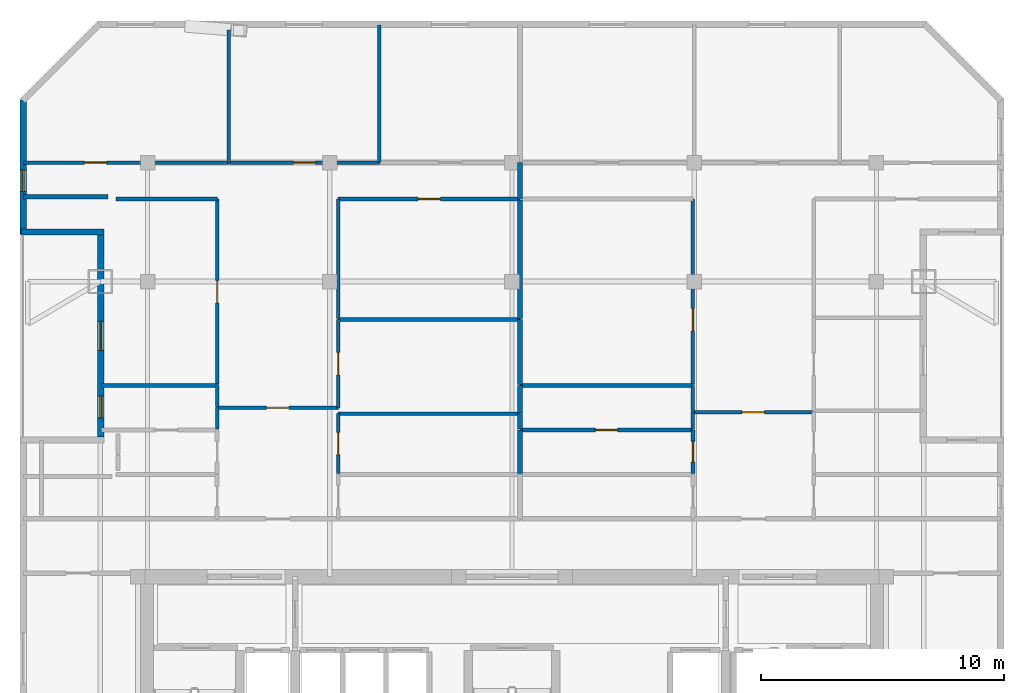
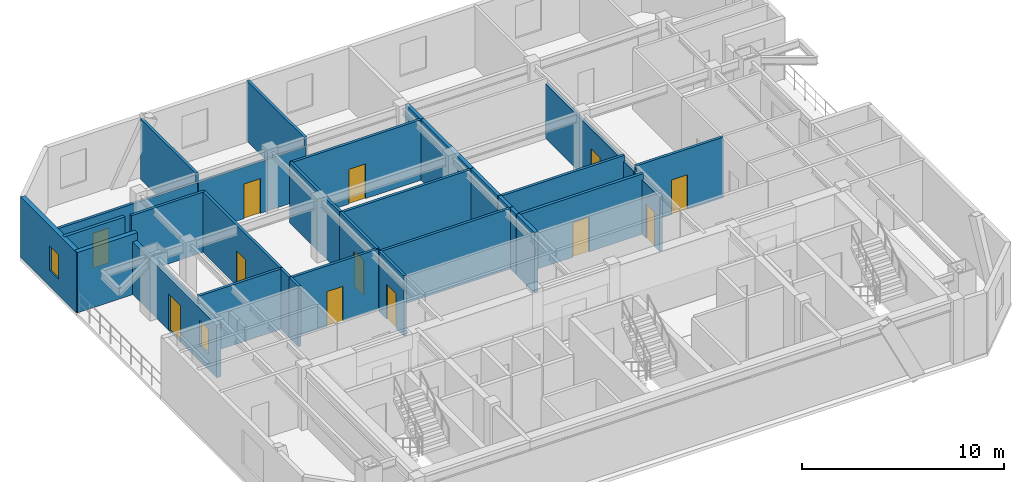
# One storey, part 4 of 7: 33 walls, 12 doors, 2 windows, 14 openings.
"""IFC4 building model written with IfcOpenShell, lengths in metres."""

from ifc_helpers import new_model, si_unit, direction, frame, frame_2d, origin, place, context, subcontext, project, spatial, rectangle, extrude, material, layer, layer_set, type_object, element, fill, save


model = new_model("IFC4")

# Units and contexts
model_context = context("Model", 3, precision=1e-05, world=origin(), true_north=direction((0.0, 1.0)))
body_context = subcontext(model_context, "Body", "Model", "MODEL_VIEW")
ifc_project = project(units=[si_unit("LENGTHUNIT", "METRE"), si_unit("AREAUNIT", "SQUARE_METRE"), si_unit("VOLUMEUNIT", "CUBIC_METRE"), si_unit("PLANEANGLEUNIT", "RADIAN"), si_unit("MASSUNIT", "GRAM", prefix="KILO")], contexts=[model_context])

# Site, building, storey
site_placement = place(None, origin())
site = spatial("IfcSite", under=ifc_project, at=site_placement, CompositionType="ELEMENT")
building_placement = place(site_placement, origin())
building = spatial("IfcBuilding", under=site, at=building_placement, Name="Ventersveld Concourse Tower", CompositionType="ELEMENT")
storey_placement = place(building_placement, frame((0.0, 0.0, 288.75)))
storey = spatial("IfcBuildingStorey", under=building, at=storey_placement, Name="L71", CompositionType="ELEMENT", Elevation=288.75)

# Walls
ifc_material_1 = material(Name="Fire-rated autoclaved aerated masonry blockwork", Category="masonry")
ifc_layer_1 = layer(ifc_material_1, 0.179931640625)
ifc_layer_set_1 = layer_set([ifc_layer_1], Name="Fire-rated autoclaved aerated masonry blockwork")
wall_type_1 = type_object("IfcWallType", Name="WL-CORR-180", PredefinedType="PARTITIONING", material=ifc_layer_set_1)
wall_1_placement = place(storey_placement, frame((12.12548828125, 27.090087890625, 0.0), z_axis=(0.0, 0.0, 1.0), x_axis=(-1.0, 0.0, 0.0)))
element("IfcWall", 1, at=wall_1_placement, inside=storey, type_object=wall_type_1, Name="L71 Room Enclosure Wall SP-L71-71N1-LIV", PredefinedType="PARTITIONING", context=body_context, shape_type="SweptSolid", body=[
    extrude(rectangle(XDim=3.480712890625, YDim=0.179931640625, at=frame_2d((1.740234375, 0.0))), origin(), (0.0, 0.0, 1.0), 3.64990234375),
])
ifc_layer_2 = layer(ifc_material_1, 0.199951171875)
ifc_layer_set_2 = layer_set([ifc_layer_2], Name="Fire-rated autoclaved aerated masonry blockwork")
wall_type_2 = type_object("IfcWallType", Name="WL-DEMISE-200", PredefinedType="PARTITIONING", material=ifc_layer_set_2)
wall_2_placement = place(storey_placement, frame((29.081787109375, 26.9951171875, 0.0), z_axis=(0.0, 0.0, 1.0), x_axis=(0.0, 1.0, 0.0)))
element("IfcWall", 2, at=wall_2_placement, inside=storey, type_object=wall_type_2, Name="L71 Interior Partition SP-L71-71N1-LIV-SP-L71-71N2-LIV", PredefinedType="PARTITIONING", context=body_context, shape_type="SweptSolid", body=[
    extrude(rectangle(XDim=1.509765625, YDim=0.199951171875, at=frame_2d((0.7548828125, 0.0))), origin(), (0.0, 0.0, 1.0), 3.64990234375),
])
wall_3_placement = place(storey_placement, frame((29.081787109375, 15.695068359375, 0.0), z_axis=(0.0, 0.0, 1.0), x_axis=(0.0, 1.0, 0.0)))
element("IfcWall", 3, at=wall_3_placement, inside=storey, type_object=wall_type_2, Name="L71 Interior Partition SP-L71-71N1-SEMR1-SP-L71-71N2-PWDL2", PredefinedType="PARTITIONING", context=body_context, shape_type="SweptSolid", body=[
    extrude(rectangle(XDim=1.800048828125, YDim=0.199951171875, at=frame_2d((0.89990234375, 0.0))), origin(), (0.0, 0.0, 1.0), 3.64990234375),
])
wall_4_placement = place(storey_placement, frame((29.081787109375, 17.52490234375, 0.0), z_axis=(0.0, 0.0, 1.0), x_axis=(0.0, 1.0, 0.0)))
element("IfcWall", 4, at=wall_4_placement, inside=storey, type_object=wall_type_2, Name="L71 Interior Partition SP-L71-71N1-SEMR1-SP-L71-71N2-PANL0", PredefinedType="PARTITIONING", context=body_context, shape_type="SweptSolid", body=[
    extrude(rectangle(XDim=0.64501953125, YDim=0.199951171875, at=frame_2d((0.322509765625, 0.0))), origin(), (0.0, 0.0, 1.0), 3.64990234375),
])
wall_5_placement = place(storey_placement, frame((29.081787109375, 18.199951171875, 0.0), z_axis=(0.0, 0.0, 1.0), x_axis=(0.0, 1.0, 0.0)))
element("IfcWall", 5, at=wall_5_placement, inside=storey, type_object=wall_type_2, Name="L71 Interior Partition SP-L71-71N1-DENS-SP-L71-71N2-PANL0", PredefinedType="PARTITIONING", context=body_context, shape_type="SweptSolid", body=[
    extrude(rectangle(XDim=1.125, YDim=0.199951171875, at=frame_2d((0.5625, 0.0))), origin(), (0.0, 0.0, 1.0), 3.64990234375),
])
wall_6_placement = place(storey_placement, frame((29.081787109375, 19.35498046875, 0.0), z_axis=(0.0, 0.0, 1.0), x_axis=(0.0, 1.0, 0.0)))
element("IfcWall", 6, at=wall_6_placement, inside=storey, type_object=wall_type_2, Name="L71 Interior Partition SP-L71-71N1-DENS-SP-L71-71N2-DENL", PredefinedType="PARTITIONING", context=body_context, shape_type="SweptSolid", body=[
    extrude(rectangle(XDim=2.691162109375, YDim=0.199951171875, at=frame_2d((1.345703125, 0.0))), origin(), (0.0, 0.0, 1.0), 3.64990234375),
])
wall_7_placement = place(storey_placement, frame((29.081787109375, 22.076171875, 0.0), z_axis=(0.0, 0.0, 1.0), x_axis=(0.0, 1.0, 0.0)))
element("IfcWall", 7, at=wall_7_placement, inside=storey, type_object=wall_type_2, Name="L71 Interior Partition SP-L71-71N1-DENS2-SP-L71-71N2-DENL", PredefinedType="PARTITIONING", context=body_context, shape_type="SweptSolid", body=[
    extrude(rectangle(XDim=4.888916015625, YDim=0.199951171875, at=frame_2d((2.4443359375, 0.0))), origin(), (0.0, 0.0, 1.0), 3.64990234375),
])

# Wall, opening, door
ifc_material_2 = material(Name="Autoclaved aerated masonry blockwork", Category="masonry")
ifc_layer_3 = layer(ifc_material_2, 0.14990234375)
ifc_layer_set_3 = layer_set([ifc_layer_3], Name="Autoclaved aerated masonry blockwork")
wall_type_3 = type_object("IfcWallType", Name="WL-INT-150", PredefinedType="PARTITIONING", material=ifc_layer_set_3)
wall_8_placement = place(storey_placement, frame((16.60693359375, 18.40771484375, 0.0), z_axis=(0.0, 0.0, 1.0), x_axis=(1.0, 0.0, 0.0)))
wall_8 = element("IfcWall", 8, at=wall_8_placement, inside=storey, type_object=wall_type_3, Name="L71 Interior Partition SP-L71-71N1-FOY-SP-L71-71N1-LIV", PredefinedType="PARTITIONING", context=body_context, shape_type="SweptSolid", body=[
    extrude(rectangle(XDim=4.989990234375, YDim=0.14990234375, at=frame_2d((2.4951171875, 0.0))), origin(), (0.0, 0.0, 1.0), 3.64990234375),
])
opening_1_placement = place(wall_8_placement, frame((2.034912109375, 0.0, 0.0)))
opening_1 = element("IfcOpeningElement", 9, at=opening_1_placement, cuts=wall_8, Name="Opening ID1", PredefinedType="OPENING", context=body_context, shape_type="SweptSolid", body=[
    extrude(rectangle(XDim=0.919921875, YDim=2.10009765625, at=frame_2d((0.4599609375, 1.050048828125))), frame((0.0, 0.0849609375, 0.0), z_axis=(0.0, -1.0, 0.0), x_axis=(1.0, 0.0, 0.0)), (0.0, 0.0, 1.0), 0.169921875),
])
ifc_material_3 = material(Name="Solid-core hardwood veneer timber", Category="wood")
door_type_1 = type_object("IfcDoorType", Name="DR-ROOM-092", OperationType="NOTDEFINED", PredefinedType="DOOR", material=ifc_material_3)
door_1_placement = place(opening_1_placement, origin())
door_1 = element("IfcDoor", 10, at=door_1_placement, inside=storey, type_object=door_type_1, Name="L71 Interior Door SP-L71-71N1-FOY to SP-L71-71N1-LIV (D-L71-3304)", OperationType="SINGLE_SWING_RIGHT", OverallHeight=2.10009765625, OverallWidth=0.919921875, PredefinedType="DOOR", context=body_context, shape_type="SweptSolid", body=[
    extrude(rectangle(XDim=0.919921875, YDim=2.10009765625, at=frame_2d((0.4599609375, 1.050048828125))), frame((0.0, 0.02490234375, 0.0), z_axis=(0.0, -1.0, 0.0), x_axis=(1.0, 0.0, 0.0)), (0.0, 0.0, 1.0), 0.050048828125),
])
fill(opening_1, door_1)

# Wall
wall_9_placement = place(storey_placement, frame((16.61181640625, 17.52490234375, 0.0), z_axis=(0.0, 0.0, 1.0), x_axis=(0.0, 1.0, 0.0)))
element("IfcWall", 11, at=wall_9_placement, inside=storey, type_object=wall_type_3, Name="L71 Interior Partition SP-L71-71N1-FOY-SP-L71-71N1-PANL0", PredefinedType="PARTITIONING", context=body_context, shape_type="SweptSolid", body=[
    extrude(rectangle(XDim=0.887939453125, YDim=0.14990234375, at=frame_2d((0.44384765625, 0.0))), origin(), (0.0, 0.0, 1.0), 3.64990234375),
])

# Wall, opening, door
wall_10_placement = place(storey_placement, frame((21.591796875, 15.695068359375, 0.0), z_axis=(0.0, 0.0, 1.0), x_axis=(0.0, 1.0, 0.0)))
wall_10 = element("IfcWall", 12, at=wall_10_placement, inside=storey, type_object=wall_type_3, Name="L71 Interior Partition SP-L71-71N1-FOY-SP-L71-71N1-SEMR1", PredefinedType="PARTITIONING", context=body_context, shape_type="SweptSolid", body=[
    extrude(rectangle(XDim=2.474853515625, YDim=0.14990234375, at=frame_2d((1.2373046875, 0.0))), origin(), (0.0, 0.0, 1.0), 3.64990234375),
])
opening_2_placement = place(wall_10_placement, frame((0.777587890625, 0.0, 0.0)))
opening_2 = element("IfcOpeningElement", 13, at=opening_2_placement, cuts=wall_10, Name="Opening ID1", PredefinedType="OPENING", context=body_context, shape_type="SweptSolid", body=[
    extrude(rectangle(XDim=0.919921875, YDim=2.10009765625, at=frame_2d((0.4599609375, 1.050048828125))), frame((0.0, 0.0849609375, 0.0), z_axis=(0.0, -1.0, 0.0), x_axis=(1.0, 0.0, 0.0)), (0.0, 0.0, 1.0), 0.169921875),
])
door_2_placement = place(opening_2_placement, origin())
door_2 = element("IfcDoor", 14, at=door_2_placement, inside=storey, type_object=door_type_1, Name="L71 Interior Door SP-L71-71N1-FOY to SP-L71-71N1-SEMR1 (D-L71-3308)", OperationType="SINGLE_SWING_RIGHT", OverallHeight=2.10009765625, OverallWidth=0.919921875, PredefinedType="DOOR", context=body_context, shape_type="SweptSolid", body=[
    extrude(rectangle(XDim=0.919921875, YDim=2.10009765625, at=frame_2d((0.4599609375, 1.050048828125))), frame((0.0, 0.02490234375, 0.0), z_axis=(0.0, -1.0, 0.0), x_axis=(1.0, 0.0, 0.0)), (0.0, 0.0, 1.0), 0.050048828125),
])
fill(opening_2, door_2)

# Wall
wall_11_placement = place(storey_placement, frame((16.61181640625, 18.44287109375, 0.0), z_axis=(0.0, 0.0, 1.0), x_axis=(0.0, 1.0, 0.0)))
element("IfcWall", 15, at=wall_11_placement, inside=storey, type_object=wall_type_3, Name="L71 Interior Partition SP-L71-71N1-LIV-SP-L71-71N1-PANL0", PredefinedType="PARTITIONING", context=body_context, shape_type="SweptSolid", body=[
    extrude(rectangle(XDim=0.882080078125, YDim=0.14990234375, at=frame_2d((0.44091796875, 0.0))), origin(), (0.0, 0.0, 1.0), 3.64990234375),
])

# Wall, opening, door
wall_12_placement = place(storey_placement, frame((16.61181640625, 19.35498046875, 0.0), z_axis=(0.0, 0.0, 1.0), x_axis=(0.0, 1.0, 0.0)))
wall_12 = element("IfcWall", 16, at=wall_12_placement, inside=storey, type_object=wall_type_3, Name="L71 Interior Partition SP-L71-71N1-LIV-SP-L71-71N1-DENL", PredefinedType="PARTITIONING", context=body_context, shape_type="SweptSolid", body=[
    extrude(rectangle(XDim=7.64990234375, YDim=0.14990234375, at=frame_2d((3.824951171875, 0.0))), origin(), (0.0, 0.0, 1.0), 3.64990234375),
])
opening_3_placement = place(wall_12_placement, frame((3.364990234375, 0.0, 0.0)))
opening_3 = element("IfcOpeningElement", 17, at=opening_3_placement, cuts=wall_12, Name="Opening ID1", PredefinedType="OPENING", context=body_context, shape_type="SweptSolid", body=[
    extrude(rectangle(XDim=0.919921875, YDim=2.10009765625, at=frame_2d((0.4599609375, 1.050048828125))), frame((0.0, 0.0849609375, 0.0), z_axis=(0.0, -1.0, 0.0), x_axis=(1.0, 0.0, 0.0)), (0.0, 0.0, 1.0), 0.169921875),
])
door_3_placement = place(opening_3_placement, origin())
door_3 = element("IfcDoor", 18, at=door_3_placement, inside=storey, type_object=door_type_1, Name="L71 Interior Door SP-L71-71N1-LIV to SP-L71-71N1-DENL (D-L71-3309)", OperationType="SINGLE_SWING_LEFT", OverallHeight=2.10009765625, OverallWidth=0.919921875, PredefinedType="DOOR", context=body_context, shape_type="SweptSolid", body=[
    extrude(rectangle(XDim=0.919921875, YDim=2.10009765625, at=frame_2d((0.4599609375, 1.050048828125))), frame((0.0, 0.02490234375, 0.0), z_axis=(0.0, -1.0, 0.0), x_axis=(1.0, 0.0, 0.0)), (0.0, 0.0, 1.0), 0.050048828125),
])
fill(opening_3, door_3)

# Wall
wall_13_placement = place(storey_placement, frame((12.440185546875, 27.0, 0.0), z_axis=(0.0, 0.0, 1.0), x_axis=(1.0, 0.0, 0.0)))
element("IfcWall", 19, at=wall_13_placement, inside=storey, type_object=wall_type_3, Name="L71 Interior Partition SP-L71-71N1-LIV-SP-L71-71N1-DENL", PredefinedType="PARTITIONING", context=body_context, shape_type="SweptSolid", body=[
    extrude(rectangle(XDim=4.1767578125, YDim=0.14990234375, at=frame_2d((2.08837890625, 0.0))), origin(), (0.0, 0.0, 1.0), 3.64990234375),
])

# Wall, opening, door
wall_14_placement = place(storey_placement, frame((21.591796875, 18.40283203125, 0.0), z_axis=(0.0, 0.0, 1.0), x_axis=(0.0, 1.0, 0.0)))
wall_14 = element("IfcWall", 20, at=wall_14_placement, inside=storey, type_object=wall_type_3, Name="L71 Interior Partition SP-L71-71N1-LIV-SP-L71-71N1-DENS", PredefinedType="PARTITIONING", context=body_context, shape_type="SweptSolid", body=[
    extrude(rectangle(XDim=3.643310546875, YDim=0.14990234375, at=frame_2d((1.82177734375, 0.0))), origin(), (0.0, 0.0, 1.0), 3.64990234375),
])
opening_4_placement = place(wall_14_placement, frame((1.36181640625, 0.0, 0.0)))
opening_4 = element("IfcOpeningElement", 21, at=opening_4_placement, cuts=wall_14, Name="Opening ID1", PredefinedType="OPENING", context=body_context, shape_type="SweptSolid", body=[
    extrude(rectangle(XDim=0.919921875, YDim=2.10009765625, at=frame_2d((0.4599609375, 1.050048828125))), frame((0.0, 0.0849609375, 0.0), z_axis=(0.0, -1.0, 0.0), x_axis=(1.0, 0.0, 0.0)), (0.0, 0.0, 1.0), 0.169921875),
])
door_4_placement = place(opening_4_placement, origin())
door_4 = element("IfcDoor", 22, at=door_4_placement, inside=storey, type_object=door_type_1, Name="L71 Interior Door SP-L71-71N1-LIV to SP-L71-71N1-DENS (D-L71-3310)", OperationType="SINGLE_SWING_RIGHT", OverallHeight=2.10009765625, OverallWidth=0.919921875, PredefinedType="DOOR", context=body_context, shape_type="SweptSolid", body=[
    extrude(rectangle(XDim=0.919921875, YDim=2.10009765625, at=frame_2d((0.4599609375, 1.050048828125))), frame((0.0, 0.02490234375, 0.0), z_axis=(0.0, -1.0, 0.0), x_axis=(1.0, 0.0, 0.0)), (0.0, 0.0, 1.0), 0.050048828125),
])
fill(opening_4, door_4)

wall_15_placement = place(storey_placement, frame((21.5869140625, 27.0, 0.0), z_axis=(0.0, 0.0, 1.0), x_axis=(1.0, 0.0, 0.0)))
wall_15 = element("IfcWall", 23, at=wall_15_placement, inside=storey, type_object=wall_type_3, Name="L71 Interior Partition SP-L71-71N1-LIV-SP-L71-71N1-DENS2", PredefinedType="PARTITIONING", context=body_context, shape_type="SweptSolid", body=[
    extrude(rectangle(XDim=7.499755859375, YDim=0.14990234375, at=frame_2d((3.75, 0.0))), origin(), (0.0, 0.0, 1.0), 3.64990234375),
])
opening_5_placement = place(wall_15_placement, frame((3.289794921875, 0.0, 0.0)))
opening_5 = element("IfcOpeningElement", 24, at=opening_5_placement, cuts=wall_15, Name="Opening ID1", PredefinedType="OPENING", context=body_context, shape_type="SweptSolid", body=[
    extrude(rectangle(XDim=0.919921875, YDim=2.10009765625, at=frame_2d((0.4599609375, 1.050048828125))), frame((0.0, 0.0849609375, 0.0), z_axis=(0.0, -1.0, 0.0), x_axis=(1.0, 0.0, 0.0)), (0.0, 0.0, 1.0), 0.169921875),
])
door_5_placement = place(opening_5_placement, origin())
door_5 = element("IfcDoor", 25, at=door_5_placement, inside=storey, type_object=door_type_1, Name="L71 Interior Door SP-L71-71N1-LIV to SP-L71-71N1-DENS2 (D-L71-3311)", OperationType="SINGLE_SWING_LEFT", OverallHeight=2.10009765625, OverallWidth=0.919921875, PredefinedType="DOOR", context=body_context, shape_type="SweptSolid", body=[
    extrude(rectangle(XDim=0.919921875, YDim=2.10009765625, at=frame_2d((0.4599609375, 1.050048828125))), frame((0.0, 0.02490234375, 0.0), z_axis=(0.0, -1.0, 0.0), x_axis=(1.0, 0.0, 0.0)), (0.0, 0.0, 1.0), 0.050048828125),
])
fill(opening_5, door_5)

# Wall
wall_16_placement = place(storey_placement, frame((21.591796875, 22.076171875, 0.0), z_axis=(0.0, 0.0, 1.0), x_axis=(0.0, 1.0, 0.0)))
element("IfcWall", 26, at=wall_16_placement, inside=storey, type_object=wall_type_3, Name="L71 Interior Partition SP-L71-71N1-LIV-SP-L71-71N1-DENS2", PredefinedType="PARTITIONING", context=body_context, shape_type="SweptSolid", body=[
    extrude(rectangle(XDim=4.9287109375, YDim=0.14990234375, at=frame_2d((2.46435546875, 0.0))), origin(), (0.0, 0.0, 1.0), 3.64990234375),
])

# Wall, opening, door
wall_17_placement = place(storey_placement, frame((8.644775390625, 28.5, 0.0), z_axis=(0.0, 0.0, 1.0), x_axis=(1.0, 0.0, 0.0)))
wall_17 = element("IfcWall", 27, at=wall_17_placement, inside=storey, type_object=wall_type_3, Name="L71 Interior Partition SP-L71-71N1-LIV-SP-L71-71N1-BR1", PredefinedType="PARTITIONING", context=body_context, shape_type="SweptSolid", body=[
    extrude(rectangle(XDim=8.44775390625, YDim=0.14990234375, at=frame_2d((4.223876953125, 0.0))), origin(), (0.0, 0.0, 1.0), 3.116943359375),
])
opening_6_placement = place(wall_17_placement, frame((2.49658203125, 0.0, 0.0)))
opening_6 = element("IfcOpeningElement", 28, at=opening_6_placement, cuts=wall_17, Name="Opening ID1", PredefinedType="OPENING", context=body_context, shape_type="SweptSolid", body=[
    extrude(rectangle(XDim=0.919921875, YDim=2.10009765625, at=frame_2d((0.4599609375, 1.050048828125))), frame((0.0, 0.0849609375, 0.0), z_axis=(0.0, -1.0, 0.0), x_axis=(1.0, 0.0, 0.0)), (0.0, 0.0, 1.0), 0.169921875),
])
door_6_placement = place(opening_6_placement, origin())
door_6 = element("IfcDoor", 29, at=door_6_placement, inside=storey, type_object=door_type_1, Name="L71 Interior Door SP-L71-71N1-LIV to SP-L71-71N1-BR1 (D-L71-3312)", OperationType="SINGLE_SWING_RIGHT", OverallHeight=2.10009765625, OverallWidth=0.919921875, PredefinedType="DOOR", context=body_context, shape_type="SweptSolid", body=[
    extrude(rectangle(XDim=0.919921875, YDim=2.10009765625, at=frame_2d((0.4599609375, 1.050048828125))), frame((0.0, 0.02490234375, 0.0), z_axis=(0.0, -1.0, 0.0), x_axis=(1.0, 0.0, 0.0)), (0.0, 0.0, 1.0), 0.050048828125),
])
fill(opening_6, door_6)

wall_18_placement = place(storey_placement, frame((17.12255859375, 28.5, 0.0), z_axis=(0.0, 0.0, 1.0), x_axis=(1.0, 0.0, 0.0)))
wall_18 = element("IfcWall", 30, at=wall_18_placement, inside=storey, type_object=wall_type_3, Name="L71 Interior Partition SP-L71-71N1-LIV-SP-L71-71N1-BR2", PredefinedType="PARTITIONING", context=body_context, shape_type="SweptSolid", body=[
    extrude(rectangle(XDim=6.167724609375, YDim=0.14990234375, at=frame_2d((3.083984375, 0.0))), origin(), (0.0, 0.0, 1.0), 3.116943359375),
])
opening_7_placement = place(wall_18_placement, frame((2.623779296875, 0.0, 0.0)))
opening_7 = element("IfcOpeningElement", 31, at=opening_7_placement, cuts=wall_18, Name="Opening ID1", PredefinedType="OPENING", context=body_context, shape_type="SweptSolid", body=[
    extrude(rectangle(XDim=0.919921875, YDim=2.10009765625, at=frame_2d((0.4599609375, 1.050048828125))), frame((0.0, 0.0849609375, 0.0), z_axis=(0.0, -1.0, 0.0), x_axis=(1.0, 0.0, 0.0)), (0.0, 0.0, 1.0), 0.169921875),
])
door_7_placement = place(opening_7_placement, origin())
door_7 = element("IfcDoor", 32, at=door_7_placement, inside=storey, type_object=door_type_1, Name="L71 Interior Door SP-L71-71N1-LIV to SP-L71-71N1-BR2 (D-L71-3313)", OperationType="SINGLE_SWING_LEFT", OverallHeight=2.10009765625, OverallWidth=0.919921875, PredefinedType="DOOR", context=body_context, shape_type="SweptSolid", body=[
    extrude(rectangle(XDim=0.919921875, YDim=2.10009765625, at=frame_2d((0.4599609375, 1.050048828125))), frame((0.0, 0.02490234375, 0.0), z_axis=(0.0, -1.0, 0.0), x_axis=(1.0, 0.0, 0.0)), (0.0, 0.0, 1.0), 0.050048828125),
])
fill(opening_7, door_7)

# Walls
wall_19_placement = place(storey_placement, frame((11.8447265625, 19.320068359375, 0.0), z_axis=(0.0, 0.0, 1.0), x_axis=(1.0, 0.0, 0.0)))
element("IfcWall", 33, at=wall_19_placement, inside=storey, type_object=wall_type_3, Name="L71 Interior Partition SP-L71-71N1-PANL0-SP-L71-71N1-DENL", PredefinedType="PARTITIONING", context=body_context, shape_type="SweptSolid", body=[
    extrude(rectangle(XDim=4.772216796875, YDim=0.14990234375, at=frame_2d((2.38623046875, 0.0))), origin(), (0.0, 0.0, 1.0), 3.64990234375),
])
for number, where, z_axis, x_axis, name in (
    (34, (21.5869140625, 18.1650390625, 0.0), (0.0, 0.0, 1.0), (1.0, 0.0, 0.0), "L71 Interior Partition SP-L71-71N1-SEMR1-SP-L71-71N1-DENS"),
    (35, (21.5869140625, 22.041015625, 0.0), (0.0, 0.0, 1.0), (1.0, 0.0, 0.0), "L71 Interior Partition SP-L71-71N1-DENS-SP-L71-71N1-DENS2"),
):
    element("IfcWall", number, at=place(storey_placement, frame(where, z_axis=z_axis, x_axis=x_axis)), inside=storey, type_object=wall_type_3, Name=name, PredefinedType="PARTITIONING", context=body_context, shape_type="SweptSolid", body=[
        extrude(rectangle(XDim=7.499755859375, YDim=0.14990234375, at=frame_2d((3.75, 0.0))), origin(), (0.0, 0.0, 1.0), 3.64990234375),
    ])
wall_20_placement = place(storey_placement, frame((17.087646484375, 28.4951171875, 0.0), z_axis=(0.0, 0.0, 1.0), x_axis=(0.0, 1.0, 0.0)))
element("IfcWall", 36, at=wall_20_placement, inside=storey, type_object=wall_type_3, Name="L71 Interior Partition SP-L71-71N1-BR1-SP-L71-71N1-BR2", PredefinedType="PARTITIONING", context=body_context, shape_type="SweptSolid", body=[
    extrude(rectangle(XDim=5.458740234375, YDim=0.14990234375, at=frame_2d((2.7294921875, 0.0))), origin(), (0.0, 0.0, 1.0), 3.64990234375),
])
wall_21_placement = place(storey_placement, frame((23.28515625, 28.4951171875, 0.0), z_axis=(0.0, 0.0, 1.0), x_axis=(0.0, 1.0, 0.0)))
element("IfcWall", 37, at=wall_21_placement, inside=storey, type_object=wall_type_3, Name="L71 Interior Partition SP-L71-71N1-BR2-SP-L71-71N1-BR3", PredefinedType="PARTITIONING", context=body_context, shape_type="SweptSolid", body=[
    extrude(rectangle(XDim=5.676513671875, YDim=0.14990234375, at=frame_2d((2.83837890625, 0.0))), origin(), (0.0, 0.0, 1.0), 3.64990234375),
])

# Wall, opening, door
wall_22_placement = place(storey_placement, frame((36.192626953125, 18.225341796875, 0.0), z_axis=(0.0, 0.0, 1.0), x_axis=(1.0, 0.0, 0.0)))
wall_22 = element("IfcWall", 38, at=wall_22_placement, inside=storey, type_object=wall_type_3, Name="L71 Interior Partition SP-L71-71N2-FOY-SP-L71-71N2-LIV", PredefinedType="PARTITIONING", context=body_context, shape_type="SweptSolid", body=[
    extrude(rectangle(XDim=4.989990234375, YDim=0.14990234375, at=frame_2d((2.4951171875, 0.0))), origin(), (0.0, 0.0, 1.0), 3.64990234375),
])
opening_8_placement = place(wall_22_placement, frame((2.034912109375, 0.0, 0.0)))
opening_8 = element("IfcOpeningElement", 39, at=opening_8_placement, cuts=wall_22, Name="Opening ID1", PredefinedType="OPENING", context=body_context, shape_type="SweptSolid", body=[
    extrude(rectangle(XDim=0.919921875, YDim=2.10009765625, at=frame_2d((0.4599609375, 1.050048828125))), frame((0.0, 0.0849609375, 0.0), z_axis=(0.0, -1.0, 0.0), x_axis=(1.0, 0.0, 0.0)), (0.0, 0.0, 1.0), 0.169921875),
])
door_8_placement = place(opening_8_placement, origin())
door_8 = element("IfcDoor", 40, at=door_8_placement, inside=storey, type_object=door_type_1, Name="L71 Interior Door SP-L71-71N2-FOY to SP-L71-71N2-LIV (D-L71-3315)", OperationType="SINGLE_SWING_LEFT", OverallHeight=2.10009765625, OverallWidth=0.919921875, PredefinedType="DOOR", context=body_context, shape_type="SweptSolid", body=[
    extrude(rectangle(XDim=0.919921875, YDim=2.10009765625, at=frame_2d((0.4599609375, 1.050048828125))), frame((0.0, 0.02490234375, 0.0), z_axis=(0.0, -1.0, 0.0), x_axis=(1.0, 0.0, 0.0)), (0.0, 0.0, 1.0), 0.050048828125),
])
fill(opening_8, door_8)

# Walls
wall_23_placement = place(storey_placement, frame((36.197509765625, 17.52490234375, 0.0), z_axis=(0.0, 0.0, 1.0), x_axis=(0.0, 1.0, 0.0)))
element("IfcWall", 41, at=wall_23_placement, inside=storey, type_object=wall_type_3, Name="L71 Interior Partition SP-L71-71N2-FOY-SP-L71-71N2-PANL0", PredefinedType="PARTITIONING", context=body_context, shape_type="SweptSolid", body=[
    extrude(rectangle(XDim=0.70556640625, YDim=0.14990234375, at=frame_2d((0.352783203125, 0.0))), origin(), (0.0, 0.0, 1.0), 3.294921875),
])
wall_24_placement = place(storey_placement, frame((36.197509765625, 18.260498046875, 0.0), z_axis=(0.0, 0.0, 1.0), x_axis=(0.0, 1.0, 0.0)))
element("IfcWall", 42, at=wall_24_placement, inside=storey, type_object=wall_type_3, Name="L71 Interior Partition SP-L71-71N2-LIV-SP-L71-71N2-PANL0", PredefinedType="PARTITIONING", context=body_context, shape_type="SweptSolid", body=[
    extrude(rectangle(XDim=1.064453125, YDim=0.14990234375, at=frame_2d((0.5322265625, 0.0))), origin(), (0.0, 0.0, 1.0), 3.294921875),
])

# Wall, opening, door
wall_25_placement = place(storey_placement, frame((36.197509765625, 19.35498046875, 0.0), z_axis=(0.0, 0.0, 1.0), x_axis=(0.0, 1.0, 0.0)))
wall_25 = element("IfcWall", 43, at=wall_25_placement, inside=storey, type_object=wall_type_3, Name="L71 Interior Partition SP-L71-71N2-LIV-SP-L71-71N2-DENL", PredefinedType="PARTITIONING", context=body_context, shape_type="SweptSolid", body=[
    extrude(rectangle(XDim=7.64990234375, YDim=0.14990234375, at=frame_2d((3.824951171875, 0.0))), origin(), (0.0, 0.0, 1.0), 3.294921875),
])
opening_9_placement = place(wall_25_placement, frame((2.217529296875, 0.0, 0.0)))
opening_9 = element("IfcOpeningElement", 44, at=opening_9_placement, cuts=wall_25, Name="Opening ID1", PredefinedType="OPENING", context=body_context, shape_type="SweptSolid", body=[
    extrude(rectangle(XDim=0.919921875, YDim=2.10009765625, at=frame_2d((0.4599609375, 1.050048828125))), frame((0.0, 0.0849609375, 0.0), z_axis=(0.0, -1.0, 0.0), x_axis=(1.0, 0.0, 0.0)), (0.0, 0.0, 1.0), 0.169921875),
])
door_9_placement = place(opening_9_placement, origin())
door_9 = element("IfcDoor", 45, at=door_9_placement, inside=storey, type_object=door_type_1, Name="L71 Interior Door SP-L71-71N2-LIV to SP-L71-71N2-DENL (D-L71-3320)", OperationType="SINGLE_SWING_RIGHT", OverallHeight=2.10009765625, OverallWidth=0.919921875, PredefinedType="DOOR", context=body_context, shape_type="SweptSolid", body=[
    extrude(rectangle(XDim=0.919921875, YDim=2.10009765625, at=frame_2d((0.4599609375, 1.050048828125))), frame((0.0, 0.02490234375, 0.0), z_axis=(0.0, -1.0, 0.0), x_axis=(1.0, 0.0, 0.0)), (0.0, 0.0, 1.0), 0.050048828125),
])
fill(opening_9, door_9)

# Wall
wall_26_placement = place(storey_placement, frame((29.07666015625, 19.320068359375, 0.0), z_axis=(0.0, 0.0, 1.0), x_axis=(1.0, 0.0, 0.0)))
element("IfcWall", 46, at=wall_26_placement, inside=storey, type_object=wall_type_3, Name="L71 Interior Partition SP-L71-71N2-PANL0-SP-L71-71N2-DENL", PredefinedType="PARTITIONING", context=body_context, shape_type="SweptSolid", body=[
    extrude(rectangle(XDim=7.1259765625, YDim=0.14990234375, at=frame_2d((3.56298828125, 0.0))), origin(), (0.0, 0.0, 1.0), 3.64990234375),
])

# Wall, opening, window
ifc_material_4 = material(Name="Precast concrete C45/55", Category="concrete")
ifc_layer_4 = layer(ifc_material_4, 0.260009765625)
ifc_layer_set_4 = layer_set([ifc_layer_4], Name="Precast concrete C45/55")
wall_type_4 = type_object("IfcWallType", Name="WL-PREC-260", PredefinedType="SOLIDWALL", material=ifc_layer_set_4)
wall_27_placement = place(storey_placement, frame((8.625244140625, 31.081298828125, 0.0), z_axis=(0.0, 0.0, 1.0), x_axis=(0.0, -1.0, 0.0)))
wall_27 = element("IfcWall", 47, at=wall_27_placement, inside=storey, type_object=wall_type_4, Name="L71 Highveld Precast Facade Wall E11", PredefinedType="SOLIDWALL", context=body_context, shape_type="SweptSolid", body=[
    extrude(rectangle(XDim=5.53076171875, YDim=0.260009765625, at=frame_2d((2.765380859375, 0.0))), origin(), (0.0, 0.0, 1.0), 3.64990234375),
])
opening_10_placement = place(wall_27_placement, frame((2.881103515625, 0.0, 0.949951171875)))
opening_10 = element("IfcOpeningElement", 48, at=opening_10_placement, cuts=wall_27, Name="Opening W4", PredefinedType="OPENING", context=body_context, shape_type="SweptSolid", body=[
    extrude(rectangle(XDim=0.89990234375, YDim=1.5, at=frame_2d((0.449951171875, 0.75))), frame((0.0, 0.14013671875, 0.0), z_axis=(0.0, -1.0, 0.0), x_axis=(1.0, 0.0, 0.0)), (0.0, 0.0, 1.0), 0.280029296875),
])
ifc_material_5 = material(Name="Tempered acoustic Low-E IGU", Category="glass")
window_type = type_object("IfcWindowType", Name="WIN-090x150", PartitioningType="SINGLE_PANEL", PredefinedType="WINDOW", material=ifc_material_5)
window_1_placement = place(opening_10_placement, origin())
window_1 = element("IfcWindow", 49, at=window_1_placement, inside=storey, type_object=window_type, Name="L71 Punched Low-E Window W-1011", OverallHeight=1.5, OverallWidth=0.89990234375, PartitioningType="SINGLE_PANEL", PredefinedType="WINDOW", context=body_context, shape_type="SweptSolid", body=[
    extrude(rectangle(XDim=0.89990234375, YDim=1.5, at=frame_2d((0.449951171875, 0.75))), frame((0.0, 0.030029296875, 0.0), z_axis=(0.0, -1.0, 0.0), x_axis=(1.0, 0.0, 0.0)), (0.0, 0.0, 1.0), 0.06005859375),
])
fill(opening_10, window_1)

# Wall
wall_28_placement = place(storey_placement, frame((8.535400390625, 25.640625, 0.0), z_axis=(0.0, 0.0, 1.0), x_axis=(1.0, 0.0, 0.0)))
element("IfcWall", 50, at=wall_28_placement, inside=storey, type_object=wall_type_4, Name="L71 Highveld Precast Facade Wall E12", PredefinedType="SOLIDWALL", context=body_context, shape_type="SweptSolid", body=[
    extrude(rectangle(XDim=3.419921875, YDim=0.260009765625, at=frame_2d((1.7099609375, 0.0))), origin(), (0.0, 0.0, 1.0), 3.64990234375),
])

# Wall, openings, door, window
wall_29_placement = place(storey_placement, frame((11.8251953125, 25.510498046875, 0.0), z_axis=(0.0, 0.0, 1.0), x_axis=(0.0, -1.0, 0.0)))
wall_29 = element("IfcWall", 51, at=wall_29_placement, inside=storey, type_object=wall_type_4, Name="L71 Highveld Precast Facade Wall E13", PredefinedType="SOLIDWALL", context=body_context, shape_type="SweptSolid", body=[
    extrude(rectangle(XDim=8.2998046875, YDim=0.260009765625, at=frame_2d((4.14990234375, 0.0))), origin(), (0.0, 0.0, 1.0), 3.18994140625),
])
opening_11_placement = place(wall_29_placement, frame((3.550048828125, 0.0, 0.0)))
opening_11 = element("IfcOpeningElement", 52, at=opening_11_placement, cuts=wall_29, Name="Opening TD1", PredefinedType="OPENING", context=body_context, shape_type="SweptSolid", body=[
    extrude(rectangle(XDim=1.199951171875, YDim=2.199951171875, at=frame_2d((0.60009765625, 1.10009765625))), frame((0.0, 0.14013671875, 0.0), z_axis=(0.0, -1.0, 0.0), x_axis=(1.0, 0.0, 0.0)), (0.0, 0.0, 1.0), 0.280029296875),
])
opening_12_placement = place(wall_29_placement, frame((6.6201171875, 0.0, 0.949951171875)))
opening_12 = element("IfcOpeningElement", 53, at=opening_12_placement, cuts=wall_29, Name="Opening W4", PredefinedType="OPENING", context=body_context, shape_type="SweptSolid", body=[
    extrude(rectangle(XDim=0.89990234375, YDim=1.5, at=frame_2d((0.449951171875, 0.75))), frame((0.0, 0.14013671875, 0.0), z_axis=(0.0, -1.0, 0.0), x_axis=(1.0, 0.0, 0.0)), (0.0, 0.0, 1.0), 0.280029296875),
])
ifc_material_6 = material(Name="Anodised aluminium EN AW-6063-T6", Category="aluminium")
door_type_2 = type_object("IfcDoorType", Name="DR-TERR-120", OperationType="NOTDEFINED", PredefinedType="DOOR", material=ifc_material_6)
door_10_placement = place(opening_11_placement, frame((1.199951171875, 0.0, 0.0), z_axis=(0.0, 0.0, 1.0), x_axis=(-1.0, 0.0, 0.0)))
door_10 = element("IfcDoor", 54, at=door_10_placement, inside=storey, type_object=door_type_2, Name="L71 Stepped Valley Terrace Door TD-L71-01", OperationType="SINGLE_SWING_RIGHT", OverallHeight=2.199951171875, OverallWidth=1.199951171875, PredefinedType="DOOR", context=body_context, shape_type="SweptSolid", body=[
    extrude(rectangle(XDim=1.199951171875, YDim=2.199951171875, at=frame_2d((0.60009765625, 1.10009765625))), frame((0.0, 0.02490234375, 0.0), z_axis=(0.0, -1.0, 0.0), x_axis=(1.0, 0.0, 0.0)), (0.0, 0.0, 1.0), 0.050048828125),
])
fill(opening_11, door_10)
window_2_placement = place(opening_12_placement, origin())
window_2 = element("IfcWindow", 55, at=window_2_placement, inside=storey, type_object=window_type, Name="L71 Punched Low-E Window W-1012", OverallHeight=1.5, OverallWidth=0.89990234375, PartitioningType="SINGLE_PANEL", PredefinedType="WINDOW", context=body_context, shape_type="SweptSolid", body=[
    extrude(rectangle(XDim=0.89990234375, YDim=1.5, at=frame_2d((0.449951171875, 0.75))), frame((0.0, 0.030029296875, 0.0), z_axis=(0.0, -1.0, 0.0), x_axis=(1.0, 0.0, 0.0)), (0.0, 0.0, 1.0), 0.06005859375),
])
fill(opening_12, window_2)

# Wall, opening, door
ifc_layer_5 = layer(ifc_material_2, 0.1650390625)
ifc_layer_set_5 = layer_set([ifc_layer_5], Name="Autoclaved aerated masonry blockwork")
wall_type_5 = type_object("IfcWallType", Name="WL-WET-165", PredefinedType="PLUMBINGWALL", material=ifc_layer_set_5)
wall_30_placement = place(storey_placement, frame((36.197509765625, 15.695068359375, 0.0), z_axis=(0.0, 0.0, 1.0), x_axis=(0.0, 1.0, 0.0)))
wall_30 = element("IfcWall", 56, at=wall_30_placement, inside=storey, type_object=wall_type_5, Name="L71 Interior Partition SP-L71-71N2-FOY-SP-L71-71N2-PWDL2", PredefinedType="PLUMBINGWALL", context=body_context, shape_type="SweptSolid", body=[
    extrude(rectangle(XDim=1.800048828125, YDim=0.1650390625, at=frame_2d((0.89990234375, 0.0))), origin(), (0.0, 0.0, 1.0), 3.294921875),
])
opening_13_placement = place(wall_30_placement, frame((0.47509765625, 0.0, 0.0)))
opening_13 = element("IfcOpeningElement", 57, at=opening_13_placement, cuts=wall_30, Name="Opening ID2", PredefinedType="OPENING", context=body_context, shape_type="SweptSolid", body=[
    extrude(rectangle(XDim=0.85009765625, YDim=2.10009765625, at=frame_2d((0.425048828125, 1.050048828125))), frame((0.0, 0.092529296875, 0.0), z_axis=(0.0, -1.0, 0.0), x_axis=(1.0, 0.0, 0.0)), (0.0, 0.0, 1.0), 0.18505859375),
])
door_type_3 = type_object("IfcDoorType", Name="DR-BATH-085", OperationType="NOTDEFINED", PredefinedType="DOOR", material=ifc_material_3)
door_11_placement = place(opening_13_placement, origin())
door_11 = element("IfcDoor", 58, at=door_11_placement, inside=storey, type_object=door_type_3, Name="L71 Interior Door SP-L71-71N2-FOY to SP-L71-71N2-PWDL2 (D-L71-3317)", OperationType="SINGLE_SWING_LEFT", OverallHeight=2.10009765625, OverallWidth=0.85009765625, PredefinedType="DOOR", context=body_context, shape_type="SweptSolid", body=[
    extrude(rectangle(XDim=0.85009765625, YDim=2.10009765625, at=frame_2d((0.425048828125, 1.050048828125))), frame((0.0, 0.02490234375, 0.0), z_axis=(0.0, -1.0, 0.0), x_axis=(1.0, 0.0, 0.0)), (0.0, 0.0, 1.0), 0.050048828125),
])
fill(opening_13, door_11)

wall_31_placement = place(storey_placement, frame((29.07666015625, 17.489990234375, 0.0), z_axis=(0.0, 0.0, 1.0), x_axis=(1.0, 0.0, 0.0)))
wall_31 = element("IfcWall", 59, at=wall_31_placement, inside=storey, type_object=wall_type_5, Name="L71 Interior Partition SP-L71-71N2-PWDL2-SP-L71-71N2-PANL0", PredefinedType="PLUMBINGWALL", context=body_context, shape_type="SweptSolid", body=[
    extrude(rectangle(XDim=7.1259765625, YDim=0.1650390625, at=frame_2d((3.56298828125, 0.0))), origin(), (0.0, 0.0, 1.0), 3.64990234375),
])
opening_14_placement = place(wall_31_placement, frame((3.102783203125, 0.0, 0.0)))
opening_14 = element("IfcOpeningElement", 60, at=opening_14_placement, cuts=wall_31, Name="Opening ID1", PredefinedType="OPENING", context=body_context, shape_type="SweptSolid", body=[
    extrude(rectangle(XDim=0.919921875, YDim=2.10009765625, at=frame_2d((0.4599609375, 1.050048828125))), frame((0.0, 0.092529296875, 0.0), z_axis=(0.0, -1.0, 0.0), x_axis=(1.0, 0.0, 0.0)), (0.0, 0.0, 1.0), 0.18505859375),
])
door_12_placement = place(opening_14_placement, origin())
door_12 = element("IfcDoor", 61, at=door_12_placement, inside=storey, type_object=door_type_1, Name="L71 Interior Door Flat 71N2 Beverage Tea Pantry (D-L71-3327)", OperationType="SINGLE_SWING_RIGHT", OverallHeight=2.10009765625, OverallWidth=0.919921875, PredefinedType="DOOR", context=body_context, shape_type="SweptSolid", body=[
    extrude(rectangle(XDim=0.919921875, YDim=2.10009765625, at=frame_2d((0.4599609375, 1.050048828125))), frame((0.0, 0.02490234375, 0.0), z_axis=(0.0, -1.0, 0.0), x_axis=(1.0, 0.0, 0.0)), (0.0, 0.0, 1.0), 0.050048828125),
])
fill(opening_14, door_12)

save(model, "model.ifc")
